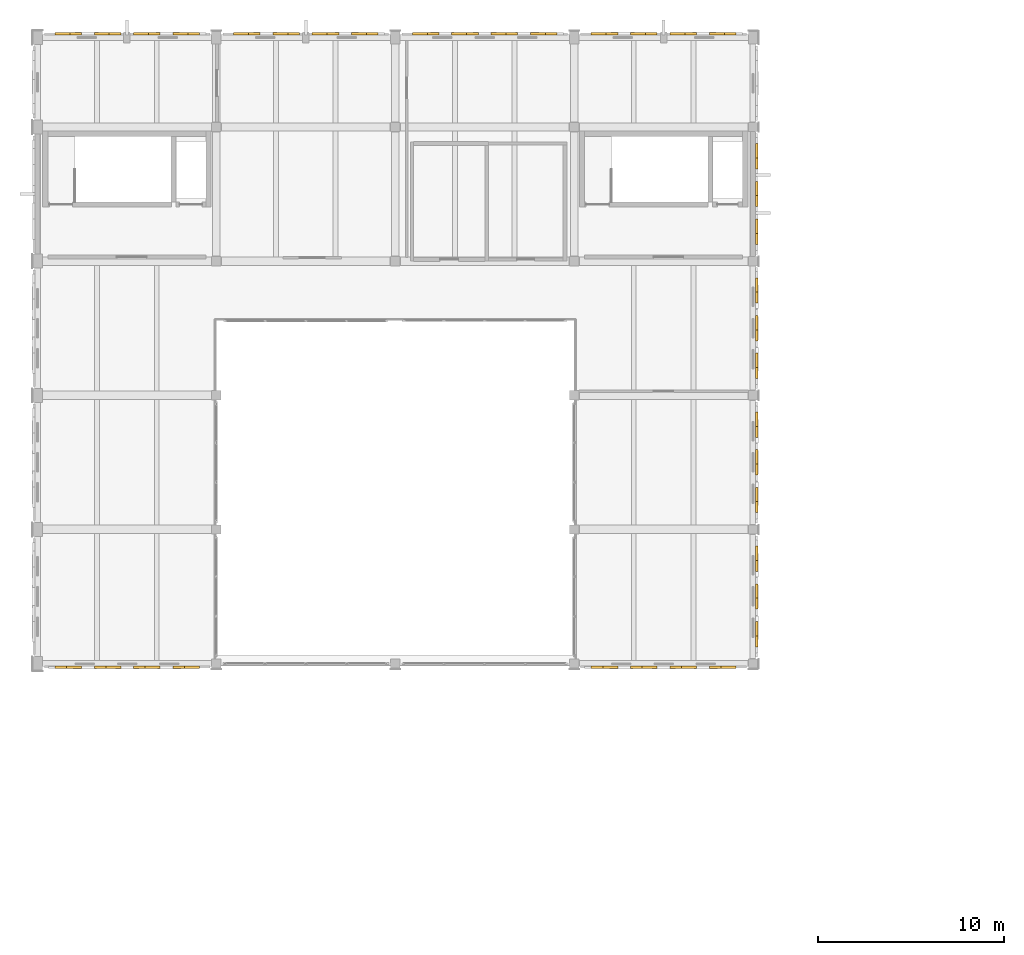
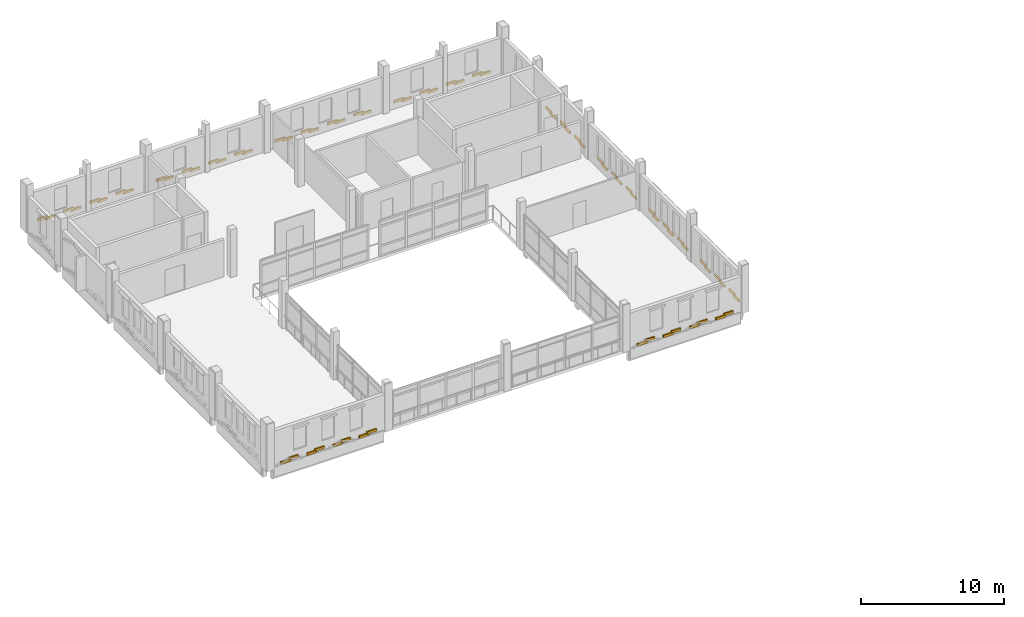
# One storey, part 24 of 24: 72 coverings.
"""IFC4 building model written with IfcOpenShell, lengths in metres."""

import ifcopenshell
import ifcopenshell.guid

model = None  # the IFC model being written
_history = None  # IfcOwnerHistory: only IFC2X3 demands one
_inside = {}  # id of a spatial element -> (the spatial element, [elements in it])
_under = {}  # id of a project, library or spatial element -> (it, [spatial elements below it])
_declared = {}  # id of a project -> (the project, [libraries it declares])
_typed = {}  # id of a type object -> (the type object, [elements of that type])
_made_of = {}  # id of a material, layer set ... -> (it, [elements and type objects made of it])


def new_model(schema):
    """Start an empty IFC model of exactly this schema.

    Asked for "IFC4X3", IfcOpenShell would pick the latest addendum, in which some entities
    have other attributes; the version numbers below select the first issue.
    IFC2X3 requires an IfcOwnerHistory on every rooted entity: one is made here for all.
    """
    global model, _history
    if schema == "IFC4X3":
        model = ifcopenshell.file(schema_version=(4, 3, 0, 0))
    else:
        model = ifcopenshell.file(schema=schema)
    _inside.clear()
    _under.clear()
    _declared.clear()
    _typed.clear()
    _made_of.clear()
    _history = None
    if model.schema == "IFC2X3":
        org = make("IfcOrganization", Name="unknown")
        user = make(
            "IfcPersonAndOrganization",
            ThePerson=make("IfcPerson", FamilyName="unknown"),
            TheOrganization=org,
        )
        app = make(
            "IfcApplication",
            ApplicationDeveloper=org,
            Version="unknown",
            ApplicationFullName="unknown",
            ApplicationIdentifier="unknown",
        )
        _history = make(
            "IfcOwnerHistory",
            OwningUser=user,
            OwningApplication=app,
            ChangeAction="ADDED",
            CreationDate=0,
        )
    return model


def make(cls, **values):
    """One entity of the class cls with the attributes given. An attribute that is None is left unset."""
    return model.create_entity(
        cls, **{name: value for name, value in values.items() if value is not None}
    )


def rooted(cls, **values):
    """An entity with a GlobalId (a new one), such as an element, a storey or a relation."""
    return make(cls, GlobalId=ifcopenshell.guid.new(), OwnerHistory=_history, **values)


def si_unit(unit_type, name, prefix=None):
    """IfcSIUnit, for example si_unit("LENGTHUNIT", "METRE", prefix="MILLI")."""
    return make("IfcSIUnit", UnitType=unit_type, Prefix=prefix, Name=name)


def assignment(units):
    """IfcUnitAssignment: the units of a project."""
    return None if units is None else make("IfcUnitAssignment", Units=units)


def point(xyz):
    """IfcCartesianPoint."""
    return None if xyz is None else make("IfcCartesianPoint", Coordinates=xyz)


def direction(xyz):
    """IfcDirection."""
    return None if xyz is None else make("IfcDirection", DirectionRatios=xyz)


def frame(location, z_axis=None, x_axis=None):
    """IfcAxis2Placement3D, a coordinate frame: its origin and axes. An axis left out is left unset."""
    return make(
        "IfcAxis2Placement3D",
        Location=point(location),
        Axis=direction(z_axis),
        RefDirection=direction(x_axis),
    )


def frame_2d(location, x_axis=None):
    """IfcAxis2Placement2D, a coordinate frame in the plane: its origin and x axis."""
    return make(
        "IfcAxis2Placement2D", Location=point(location), RefDirection=direction(x_axis)
    )


def origin():
    """The frame at (0, 0, 0) with its axes left unset."""
    return frame((0.0, 0.0, 0.0))


def origin_2d():
    """The frame at (0, 0) in the plane with its x axis left unset."""
    return frame_2d((0.0, 0.0))


def place(relative_to, where):
    """IfcLocalPlacement: puts the frame where relative to a parent placement (None: the world)."""
    return make(
        "IfcLocalPlacement", PlacementRelTo=relative_to, RelativePlacement=where
    )


def context(
    kind, dimensions, precision=None, world=None, true_north=None, identifier=None
):
    """IfcGeometricRepresentationContext, for example the 3D "Model" context."""
    return make(
        "IfcGeometricRepresentationContext",
        ContextIdentifier=identifier,
        ContextType=kind,
        CoordinateSpaceDimension=dimensions,
        Precision=precision,
        WorldCoordinateSystem=world,
        TrueNorth=true_north,
    )


def subcontext(parent, identifier, kind, view, scale=None):
    """IfcGeometricRepresentationSubContext, for example "Body" below "Model"."""
    return make(
        "IfcGeometricRepresentationSubContext",
        ContextIdentifier=identifier,
        ContextType=kind,
        ParentContext=parent,
        TargetScale=scale,
        TargetView=view,
    )


def project(units=None, contexts=None):
    """IfcProject with its units and contexts."""
    return rooted(
        "IfcProject",
        Name="project",
        RepresentationContexts=contexts,
        UnitsInContext=assignment(units),
    )


def spatial(cls, under=None, at=None, **own):
    """A site, building, storey or space (cls), placed at a placement, below another one or the project."""
    s = rooted(cls, ObjectPlacement=at, **own)
    if under is not None:
        _under.setdefault(under.id(), (under, []))[1].append(s)
    return s


def profile(cls, at=None, kind="AREA", **sizes):
    """A parametric profile (cls). Its sizes go by their IFC names, for example OverallWidth=200.0."""
    return make(cls, ProfileType=kind, Position=at, **sizes)


def rectangle(**sizes):
    """IfcRectangleProfileDef."""
    return profile("IfcRectangleProfileDef", **sizes)


def extrude(swept, where, along, depth):
    """IfcExtrudedAreaSolid: the profile swept, set in the frame where, extruded along a direction by depth."""
    return make(
        "IfcExtrudedAreaSolid",
        SweptArea=swept,
        Position=where,
        ExtrudedDirection=direction(along),
        Depth=depth,
    )


def shape(context_of_items, identifier, shape_type, items):
    """IfcShapeRepresentation: the items that make up one representation, for example the "Body"."""
    return make(
        "IfcShapeRepresentation",
        ContextOfItems=context_of_items,
        RepresentationIdentifier=identifier,
        RepresentationType=shape_type,
        Items=items,
    )


def material(Name=None, Category=None):
    """IfcMaterial."""
    return make("IfcMaterial", Name=Name, Category=Category)


def layer(
    of_material, thickness, ventilated=None, Name=None, Category=None, Priority=None
):
    """IfcMaterialLayer: one layer of a wall or slab, of a material (None: an air gap)."""
    return make(
        "IfcMaterialLayer",
        Material=of_material,
        LayerThickness=thickness,
        IsVentilated=ventilated,
        Name=Name,
        Category=Category,
        Priority=Priority,
    )


def layer_set(layers, Name=None):
    """IfcMaterialLayerSet."""
    return make("IfcMaterialLayerSet", MaterialLayers=layers, LayerSetName=Name)


def made_of(thing, what):
    """Note that an element or type object is made of a material, layer set ...; save() writes the relation."""
    if what is not None:
        _made_of.setdefault(what.id(), (what, []))[1].append(thing)
    return thing


def type_object(cls, material=None, **own):
    """A type object (cls), such as IfcWallType, which elements share."""
    return made_of(rooted(cls, **own), material)


def element(
    cls,
    number,
    at=None,
    inside=None,
    cuts=None,
    type_object=None,
    material=None,
    context=None,
    identifier="Body",
    shape_type=None,
    held_by="IfcProductDefinitionShape",
    body=None,
    shapes=None,
    **own,
):
    """One element of the class cls, such as IfcWall. Its Tag is "e" and its number.

    at: its placement. inside: the storey or other place that contains it. cuts: it is an
    opening in that element (IfcRelVoidsElement). A single representation is given by context,
    identifier, shape_type and body (its items); several are given by shapes. held_by: the class
    of the entity that holds the representations. save() writes the other relations.
    """
    e = rooted(cls, Tag="e%d" % number, ObjectPlacement=at, **own)
    if body is not None:
        shapes = [shape(context, identifier, shape_type, body)]
    if shapes is not None:
        e.Representation = make(held_by, Representations=shapes)
    if inside is not None:
        _inside.setdefault(inside.id(), (inside, []))[1].append(e)
    if cuts is not None:
        rooted(
            "IfcRelVoidsElement", RelatingBuildingElement=cuts, RelatedOpeningElement=e
        )
    if type_object is not None:
        _typed.setdefault(type_object.id(), (type_object, []))[1].append(e)
    return made_of(e, material)


def aggregate(whole, parts):
    """IfcRelAggregates: a whole, such as a stair, and the parts it consists of."""
    return rooted("IfcRelAggregates", RelatingObject=whole, RelatedObjects=parts)


def save(model, path):
    """Write the relations noted so far, then the file.

    IfcRelAggregates (storeys below a building ...), IfcRelContainedInSpatialStructure (elements
    in a storey), IfcRelDefinesByType, IfcRelAssociatesMaterial and IfcRelDeclares: one each for
    every whole, place, type object, material and project.
    """
    for whole, parts in _under.values():
        aggregate(whole, parts)
    for where, things in _inside.values():
        rooted(
            "IfcRelContainedInSpatialStructure",
            RelatedElements=things,
            RelatingStructure=where,
        )
    for kind, things in _typed.values():
        rooted("IfcRelDefinesByType", RelatedObjects=things, RelatingType=kind)
    for what, things in _made_of.values():
        rooted("IfcRelAssociatesMaterial", RelatedObjects=things, RelatingMaterial=what)
    for by, libraries in _declared.values():
        rooted("IfcRelDeclares", RelatingContext=by, RelatedDefinitions=libraries)
    model.write(path)


model = new_model("IFC4")

# Units and contexts
model_context = context("Model", 3, precision=1e-05, world=origin(), true_north=direction((0.0, 1.0)))
body_context = subcontext(model_context, "Body", "Model", "MODEL_VIEW")
ifc_project = project(units=[si_unit("LENGTHUNIT", "METRE"), si_unit("AREAUNIT", "SQUARE_METRE"), si_unit("VOLUMEUNIT", "CUBIC_METRE"), si_unit("PLANEANGLEUNIT", "RADIAN"), si_unit("MASSUNIT", "GRAM", prefix="KILO")], contexts=[model_context])

# Site, building, storey
site_placement = place(None, origin())
site = spatial("IfcSite", under=ifc_project, at=site_placement, CompositionType="ELEMENT")
building_placement = place(site_placement, origin())
building = spatial("IfcBuilding", under=site, at=building_placement, Name="Asteropetra Specialist Clinic", CompositionType="ELEMENT")
storey_placement = place(building_placement, frame((0.0, 0.0, 20.739990234375)))
storey = spatial("IfcBuildingStorey", under=building, at=storey_placement, Name="L05", CompositionType="ELEMENT", Elevation=20.739990234375)

# Coverings
ifc_material = material(Name="Chevron ivory")
ifc_layer = layer(ifc_material, 0.1201171875)
ifc_layer_set = layer_set([ifc_layer], Name="Chevron ivory")
covering_type = type_object("IfcCoveringType", Name="CLD-TER-IVORY", PredefinedType="CLADDING", material=ifc_layer_set)
for number, where, z_axis, x_axis, name in (
    (1, (1.339111328125, 76.60009765625, 0.1201171875), (0.0, 0.0, 1.0), (1.0, 0.0, 0.0), "Chevron Ceramic Band CV-1702"),
    (2, (1.959716796875, 76.60009765625, 0.26025390625), (0.0, 0.0, 1.0), (1.0, 0.0, 0.0), "Chevron Ceramic Band CV-1703"),
    (3, (3.44775390625, 76.60009765625, 0.1201171875), (0.0, 0.0, 1.0), (1.0, 0.0, 0.0), "Chevron Ceramic Band CV-1704"),
    (4, (4.068359375, 76.60009765625, 0.26025390625), (0.0, 0.0, 1.0), (1.0, 0.0, 0.0), "Chevron Ceramic Band CV-1705"),
    (5, (5.556640625, 76.60009765625, 0.1201171875), (0.0, 0.0, 1.0), (1.0, 0.0, 0.0), "Chevron Ceramic Band CV-1706"),
    (6, (6.17724609375, 76.60009765625, 0.26025390625), (0.0, 0.0, 1.0), (1.0, 0.0, 0.0), "Chevron Ceramic Band CV-1707"),
    (7, (7.665283203125, 76.60009765625, 0.1201171875), (0.0, 0.0, 1.0), (1.0, 0.0, 0.0), "Chevron Ceramic Band CV-1708"),
    (8, (8.285888671875, 76.60009765625, 0.26025390625), (0.0, 0.0, 1.0), (1.0, 0.0, 0.0), "Chevron Ceramic Band CV-1709"),
    (9, (8.285888671875, 110.60009765625, 0.1201171875), (0.0, 0.0, 1.0), (1.0, 0.0, 0.0), "Chevron Ceramic Band CV-1713"),
    (10, (7.665283203125, 110.60009765625, 0.26025390625), (0.0, 0.0, 1.0), (1.0, 0.0, 0.0), "Chevron Ceramic Band CV-1714"),
    (11, (6.17724609375, 110.60009765625, 0.1201171875), (0.0, 0.0, 1.0), (1.0, 0.0, 0.0), "Chevron Ceramic Band CV-1715"),
    (12, (5.556640625, 110.60009765625, 0.26025390625), (0.0, 0.0, 1.0), (1.0, 0.0, 0.0), "Chevron Ceramic Band CV-1716"),
    (13, (4.068359375, 110.60009765625, 0.1201171875), (0.0, 0.0, 1.0), (1.0, 0.0, 0.0), "Chevron Ceramic Band CV-1717"),
    (14, (3.44775390625, 110.60009765625, 0.26025390625), (0.0, 0.0, 1.0), (1.0, 0.0, 0.0), "Chevron Ceramic Band CV-1718"),
    (15, (1.959716796875, 110.60009765625, 0.1201171875), (0.0, 0.0, 1.0), (1.0, 0.0, 0.0), "Chevron Ceramic Band CV-1719"),
    (16, (1.339111328125, 110.60009765625, 0.26025390625), (0.0, 0.0, 1.0), (1.0, 0.0, 0.0), "Chevron Ceramic Band CV-1720"),
):
    element("IfcCovering", number, at=place(storey_placement, frame(where, z_axis=z_axis, x_axis=x_axis)), inside=storey, type_object=covering_type, Name=name, PredefinedType="CLADDING", context=body_context, shape_type="SweptSolid", body=[
        extrude(rectangle(XDim=0.801025390625, YDim=0.1201171875, at=origin_2d()), origin(), (0.0, 0.0, 1.0), 0.199951171875),
    ])
for number, where, z_axis, x_axis, name in (
    (17, (17.8837890625, 110.60009765625, 0.1201171875), (0.0, 0.0, 1.0), (1.0, 0.0, 0.0), "Chevron Ceramic Band CV-1724"),
    (18, (17.26123046875, 110.60009765625, 0.26025390625), (0.0, 0.0, 1.0), (1.0, 0.0, 0.0), "Chevron Ceramic Band CV-1725"),
    (19, (15.768798828125, 110.60009765625, 0.1201171875), (0.0, 0.0, 1.0), (1.0, 0.0, 0.0), "Chevron Ceramic Band CV-1726"),
    (20, (15.146240234375, 110.60009765625, 0.26025390625), (0.0, 0.0, 1.0), (1.0, 0.0, 0.0), "Chevron Ceramic Band CV-1727"),
    (21, (13.65380859375, 110.60009765625, 0.1201171875), (0.0, 0.0, 1.0), (1.0, 0.0, 0.0), "Chevron Ceramic Band CV-1728"),
    (22, (13.03125, 110.60009765625, 0.26025390625), (0.0, 0.0, 1.0), (1.0, 0.0, 0.0), "Chevron Ceramic Band CV-1729"),
    (23, (11.538818359375, 110.60009765625, 0.1201171875), (0.0, 0.0, 1.0), (1.0, 0.0, 0.0), "Chevron Ceramic Band CV-1730"),
    (24, (10.916259765625, 110.60009765625, 0.26025390625), (0.0, 0.0, 1.0), (1.0, 0.0, 0.0), "Chevron Ceramic Band CV-1731"),
    (25, (27.48388671875, 110.60009765625, 0.1201171875), (0.0, 0.0, 1.0), (1.0, 0.0, 0.0), "Chevron Ceramic Band CV-1736"),
    (26, (26.861328125, 110.60009765625, 0.26025390625), (0.0, 0.0, 1.0), (1.0, 0.0, 0.0), "Chevron Ceramic Band CV-1737"),
    (27, (25.368896484375, 110.60009765625, 0.1201171875), (0.0, 0.0, 1.0), (1.0, 0.0, 0.0), "Chevron Ceramic Band CV-1738"),
    (28, (24.74609375, 110.60009765625, 0.26025390625), (0.0, 0.0, 1.0), (1.0, 0.0, 0.0), "Chevron Ceramic Band CV-1739"),
    (29, (23.25390625, 110.60009765625, 0.1201171875), (0.0, 0.0, 1.0), (1.0, 0.0, 0.0), "Chevron Ceramic Band CV-1740"),
    (30, (22.63134765625, 110.60009765625, 0.26025390625), (0.0, 0.0, 1.0), (1.0, 0.0, 0.0), "Chevron Ceramic Band CV-1741"),
    (31, (21.138916015625, 110.60009765625, 0.1201171875), (0.0, 0.0, 1.0), (1.0, 0.0, 0.0), "Chevron Ceramic Band CV-1742"),
    (32, (20.51611328125, 110.60009765625, 0.26025390625), (0.0, 0.0, 1.0), (1.0, 0.0, 0.0), "Chevron Ceramic Band CV-1743"),
    (33, (30.1162109375, 76.60009765625, 0.1201171875), (0.0, 0.0, 1.0), (1.0, 0.0, 0.0), "Chevron Ceramic Band CV-1748"),
    (34, (30.73876953125, 76.60009765625, 0.26025390625), (0.0, 0.0, 1.0), (1.0, 0.0, 0.0), "Chevron Ceramic Band CV-1749"),
    (35, (32.231201171875, 76.60009765625, 0.1201171875), (0.0, 0.0, 1.0), (1.0, 0.0, 0.0), "Chevron Ceramic Band CV-1750"),
    (36, (32.853759765625, 76.60009765625, 0.26025390625), (0.0, 0.0, 1.0), (1.0, 0.0, 0.0), "Chevron Ceramic Band CV-1751"),
    (37, (34.34619140625, 76.60009765625, 0.1201171875), (0.0, 0.0, 1.0), (1.0, 0.0, 0.0), "Chevron Ceramic Band CV-1752"),
    (38, (34.96875, 76.60009765625, 0.26025390625), (0.0, 0.0, 1.0), (1.0, 0.0, 0.0), "Chevron Ceramic Band CV-1753"),
    (39, (36.461181640625, 76.60009765625, 0.1201171875), (0.0, 0.0, 1.0), (1.0, 0.0, 0.0), "Chevron Ceramic Band CV-1754"),
    (40, (37.083740234375, 76.60009765625, 0.26025390625), (0.0, 0.0, 1.0), (1.0, 0.0, 0.0), "Chevron Ceramic Band CV-1755"),
    (41, (37.083740234375, 110.60009765625, 0.1201171875), (0.0, 0.0, 1.0), (1.0, 0.0, 0.0), "Chevron Ceramic Band CV-1759"),
    (42, (36.461181640625, 110.60009765625, 0.26025390625), (0.0, 0.0, 1.0), (1.0, 0.0, 0.0), "Chevron Ceramic Band CV-1760"),
    (43, (34.96875, 110.60009765625, 0.1201171875), (0.0, 0.0, 1.0), (1.0, 0.0, 0.0), "Chevron Ceramic Band CV-1761"),
    (44, (34.34619140625, 110.60009765625, 0.26025390625), (0.0, 0.0, 1.0), (1.0, 0.0, 0.0), "Chevron Ceramic Band CV-1762"),
    (45, (32.853759765625, 110.60009765625, 0.1201171875), (0.0, 0.0, 1.0), (1.0, 0.0, 0.0), "Chevron Ceramic Band CV-1763"),
    (46, (32.231201171875, 110.60009765625, 0.26025390625), (0.0, 0.0, 1.0), (1.0, 0.0, 0.0), "Chevron Ceramic Band CV-1764"),
    (47, (30.73876953125, 110.60009765625, 0.1201171875), (0.0, 0.0, 1.0), (1.0, 0.0, 0.0), "Chevron Ceramic Band CV-1765"),
    (48, (30.1162109375, 110.60009765625, 0.26025390625), (0.0, 0.0, 1.0), (1.0, 0.0, 0.0), "Chevron Ceramic Band CV-1766"),
):
    element("IfcCovering", number, at=place(storey_placement, frame(where, z_axis=z_axis, x_axis=x_axis)), inside=storey, type_object=covering_type, Name=name, PredefinedType="CLADDING", context=body_context, shape_type="SweptSolid", body=[
        extrude(rectangle(XDim=0.803955078125, YDim=0.1201171875, at=origin_2d()), origin(), (0.0, 0.0, 1.0), 0.199951171875),
    ])
for number, where, z_axis, x_axis, name in (
    (49, (38.60009765625, 78.0830078125, 0.1201171875), (0.0, 0.0, 1.0), (1.0, 0.0, 0.0), "Chevron Ceramic Band CV-1779"),
    (50, (38.60009765625, 78.677001953125, 0.26025390625), (0.0, 0.0, 1.0), (1.0, 0.0, 0.0), "Chevron Ceramic Band CV-1780"),
    (51, (38.60009765625, 80.10302734375, 0.1201171875), (0.0, 0.0, 1.0), (1.0, 0.0, 0.0), "Chevron Ceramic Band CV-1781"),
    (52, (38.60009765625, 80.697021484375, 0.26025390625), (0.0, 0.0, 1.0), (1.0, 0.0, 0.0), "Chevron Ceramic Band CV-1782"),
    (53, (38.60009765625, 82.123046875, 0.1201171875), (0.0, 0.0, 1.0), (1.0, 0.0, 0.0), "Chevron Ceramic Band CV-1783"),
    (54, (38.60009765625, 82.717041015625, 0.26025390625), (0.0, 0.0, 1.0), (1.0, 0.0, 0.0), "Chevron Ceramic Band CV-1784"),
    (55, (38.60009765625, 85.282958984375, 0.1201171875), (0.0, 0.0, 1.0), (1.0, 0.0, 0.0), "Chevron Ceramic Band CV-1797"),
    (56, (38.60009765625, 85.876953125, 0.26025390625), (0.0, 0.0, 1.0), (1.0, 0.0, 0.0), "Chevron Ceramic Band CV-1798"),
    (57, (38.60009765625, 87.302978515625, 0.1201171875), (0.0, 0.0, 1.0), (1.0, 0.0, 0.0), "Chevron Ceramic Band CV-1799"),
    (58, (38.60009765625, 87.89697265625, 0.26025390625), (0.0, 0.0, 1.0), (1.0, 0.0, 0.0), "Chevron Ceramic Band CV-1800"),
    (59, (38.60009765625, 89.322998046875, 0.1201171875), (0.0, 0.0, 1.0), (1.0, 0.0, 0.0), "Chevron Ceramic Band CV-1801"),
    (60, (38.60009765625, 89.9169921875, 0.26025390625), (0.0, 0.0, 1.0), (1.0, 0.0, 0.0), "Chevron Ceramic Band CV-1802"),
    (61, (38.60009765625, 92.48291015625, 0.1201171875), (0.0, 0.0, 1.0), (1.0, 0.0, 0.0), "Chevron Ceramic Band CV-1815"),
    (62, (38.60009765625, 93.076904296875, 0.26025390625), (0.0, 0.0, 1.0), (1.0, 0.0, 0.0), "Chevron Ceramic Band CV-1816"),
    (63, (38.60009765625, 94.5029296875, 0.1201171875), (0.0, 0.0, 1.0), (1.0, 0.0, 0.0), "Chevron Ceramic Band CV-1817"),
    (64, (38.60009765625, 95.096923828125, 0.26025390625), (0.0, 0.0, 1.0), (1.0, 0.0, 0.0), "Chevron Ceramic Band CV-1818"),
    (65, (38.60009765625, 96.52294921875, 0.1201171875), (0.0, 0.0, 1.0), (1.0, 0.0, 0.0), "Chevron Ceramic Band CV-1819"),
    (66, (38.60009765625, 97.116943359375, 0.26025390625), (0.0, 0.0, 1.0), (1.0, 0.0, 0.0), "Chevron Ceramic Band CV-1820"),
    (67, (38.60009765625, 99.68310546875, 0.1201171875), (0.0, 0.0, 1.0), (1.0, 0.0, 0.0), "Chevron Ceramic Band CV-1827"),
    (68, (38.60009765625, 100.277099609375, 0.26025390625), (0.0, 0.0, 1.0), (1.0, 0.0, 0.0), "Chevron Ceramic Band CV-1828"),
    (69, (38.60009765625, 101.702880859375, 0.1201171875), (0.0, 0.0, 1.0), (1.0, 0.0, 0.0), "Chevron Ceramic Band CV-1829"),
    (70, (38.60009765625, 102.297119140625, 0.26025390625), (0.0, 0.0, 1.0), (1.0, 0.0, 0.0), "Chevron Ceramic Band CV-1830"),
    (71, (38.60009765625, 103.722900390625, 0.1201171875), (0.0, 0.0, 1.0), (1.0, 0.0, 0.0), "Chevron Ceramic Band CV-1831"),
    (72, (38.60009765625, 104.31689453125, 0.26025390625), (0.0, 0.0, 1.0), (1.0, 0.0, 0.0), "Chevron Ceramic Band CV-1832"),
):
    element("IfcCovering", number, at=place(storey_placement, frame(where, z_axis=z_axis, x_axis=x_axis)), inside=storey, type_object=covering_type, Name=name, PredefinedType="CLADDING", context=body_context, shape_type="SweptSolid", body=[
        extrude(rectangle(XDim=0.1201171875, YDim=0.76806640625, at=origin_2d()), origin(), (0.0, 0.0, 1.0), 0.199951171875),
    ])

save(model, "model.ifc")
